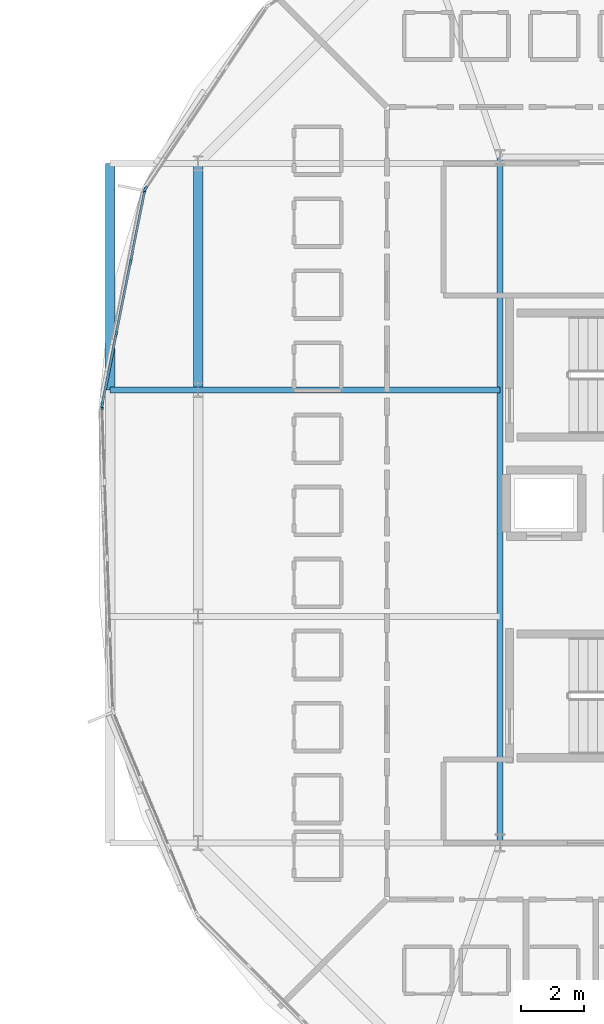
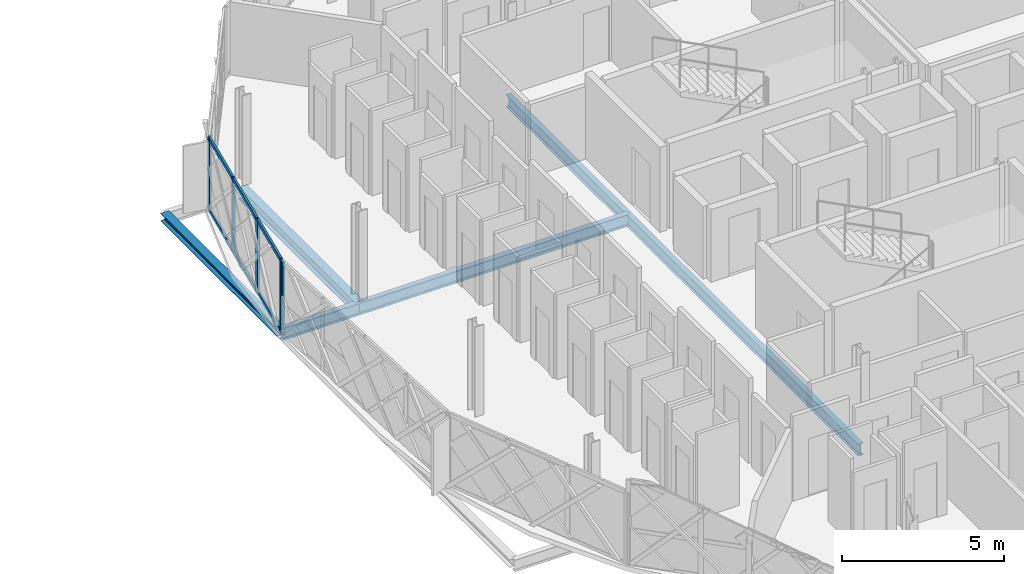
# One storey, part 10 of 40: 12 members, 5 beams, 3 elements without a shape of their own.
"""IFC4 building model written with IfcOpenShell, lengths in metres."""

from ifc_helpers import new_model, si_unit, direction, frame, origin, origin_2d, place, context, subcontext, project, spatial, rectangle, i_section, extrude, material, layer, layer_set, material_profile, profile_set, type_object, element, aggregate, save


model = new_model("IFC4")

# Units and contexts
model_context = context("Model", 3, precision=1e-05, world=origin(), true_north=direction((0.0, 1.0)))
body_context = subcontext(model_context, "Body", "Model", "MODEL_VIEW")
ifc_project = project(units=[si_unit("LENGTHUNIT", "METRE"), si_unit("AREAUNIT", "SQUARE_METRE"), si_unit("VOLUMEUNIT", "CUBIC_METRE"), si_unit("PLANEANGLEUNIT", "RADIAN"), si_unit("MASSUNIT", "GRAM", prefix="KILO")], contexts=[model_context])

# Site, building, storey
site_placement = place(None, origin())
site = spatial("IfcSite", under=ifc_project, at=site_placement, CompositionType="ELEMENT")
building_placement = place(site_placement, origin())
building = spatial("IfcBuilding", under=site, at=building_placement, Name="Zevrakil Square Congress Hotel", CompositionType="ELEMENT")
storey_placement = place(building_placement, frame((0.0, 0.0, 18.10009765625)))
storey = spatial("IfcBuildingStorey", under=building, at=storey_placement, Name="L05", CompositionType="ELEMENT", Elevation=18.10009765625)

# Beams
ifc_material_1 = material(Name="Steel S355", Category="steel")
ifc_material_profile_1 = material_profile(ifc_material_1, i_section(OverallWidth=0.300048828125, OverallDepth=0.43994140625, WebThickness=0.011474609375, FlangeThickness=0.02099609375, FilletRadius=0.027099609375, at=origin_2d()), Name="HEA 450")
ifc_profile_set_1 = profile_set([ifc_material_profile_1], Name="Steel S355")
beam_type_1 = type_object("IfcBeamType", Name="BM-HEA450", PredefinedType="BEAM", material=ifc_profile_set_1)
beam_1_placement = place(storey_placement, frame((127.199951171875, 38.39990234375, -0.405029296875), z_axis=(0.0, -1.0, 0.0), x_axis=(1.0, 0.0, 0.0)))
element("IfcBeam", 1, at=beam_1_placement, inside=storey, type_object=beam_type_1, Name="L05 drum ring girder DRB-13", PredefinedType="BEAM", context=body_context, shape_type="SweptSolid", body=[
    extrude(i_section(OverallWidth=0.300048828125, OverallDepth=0.43994140625, WebThickness=0.011474609375, FlangeThickness=0.02099609375, FilletRadius=0.027099609375, at=origin_2d()), origin(), (0.0, 0.0, 1.0), 7.199951171875),
])
ifc_material_2 = material(Name="Steel S355", Category="steel")
ifc_material_profile_2 = material_profile(ifc_material_2, i_section(OverallWidth=0.18994140625, OverallDepth=0.449951171875, WebThickness=0.009521484375, FlangeThickness=0.0146484375, FilletRadius=0.02099609375, at=origin_2d()), Name="IPE 450")
ifc_profile_set_2 = profile_set([ifc_material_profile_2], Name="Steel S355")
beam_type_2 = type_object("IfcBeamType", Name="BM-IPE450", PredefinedType="BEAM", material=ifc_profile_set_2)
beam_2_placement = place(storey_placement, frame((136.800048828125, 38.60009765625, -0.41015625), z_axis=(0.0, -1.0, 0.0), x_axis=(1.0, 0.0, 0.0)))
element("IfcBeam", 2, at=beam_2_placement, inside=storey, type_object=beam_type_2, Name="L05 drum core perimeter tie beam DCB-04", PredefinedType="BEAM", context=body_context, shape_type="SweptSolid", body=[
    extrude(i_section(OverallWidth=0.18994140625, OverallDepth=0.449951171875, WebThickness=0.009521484375, FlangeThickness=0.0146484375, FilletRadius=0.02099609375, at=origin_2d()), origin(), (0.0, 0.0, 1.0), 21.800048828125),
])
beam_3_placement = place(storey_placement, frame((136.800048828125, 31.199951171875, -0.41015625), z_axis=(-1.0, 0.0, 0.0), x_axis=(0.0, -1.0, 0.0)))
element("IfcBeam", 3, at=beam_3_placement, inside=storey, type_object=beam_type_2, Name="L05 drum radial floor beam DRI-14", PredefinedType="BEAM", context=body_context, shape_type="SweptSolid", body=[
    extrude(i_section(OverallWidth=0.18994140625, OverallDepth=0.449951171875, WebThickness=0.009521484375, FlangeThickness=0.0146484375, FilletRadius=0.02099609375, at=origin_2d()), origin(), (0.0, 0.0, 1.0), 9.60009765625),
])
beam_4_placement = place(storey_placement, frame((127.199951171875, 31.199951171875, -0.41015625), z_axis=(-1.0, 0.0, 0.0), x_axis=(0.0, -1.0, 0.0)))
element("IfcBeam", 4, at=beam_4_placement, inside=storey, type_object=beam_type_2, Name="L05 drum radial edge cantilever beam DRO-14", PredefinedType="BEAM", context=body_context, shape_type="SweptSolid", body=[
    extrude(i_section(OverallWidth=0.18994140625, OverallDepth=0.449951171875, WebThickness=0.009521484375, FlangeThickness=0.0146484375, FilletRadius=0.02099609375, at=origin_2d()), origin(), (0.0, 0.0, 1.0), 2.79248046875),
])

# Curtain wall, members
ifc_material_3 = material(Name="Aluminium Anodised Bronze", Category="aluminium")
ifc_layer_1 = layer(ifc_material_3, 0.179931640625)
ifc_layer_set_1 = layer_set([ifc_layer_1], Name="Aluminium Anodised Bronze")
curtain_wall_type_1 = type_object("IfcCurtainWallType", Name="CW-L05-720", PredefinedType="USERDEFINED", material=ifc_layer_set_1)
curtain_wall_1_placement = place(storey_placement, origin())
curtain_wall_1 = element("IfcCurtainWall", 5, at=curtain_wall_1_placement, inside=storey, type_object=curtain_wall_type_1, Name="L05 diamond curtain wall CW-L05-0195", ObjectType="GLAZED CURTAIN WALL", PredefinedType="USERDEFINED")
ifc_material_4 = material(Name="Aluminium Anodised Bronze", Category="aluminium")
ifc_material_profile_3 = material_profile(ifc_material_4, rectangle(XDim=0.074951171875, YDim=0.14990234375, at=origin_2d()), Name="ALU 75x150")
ifc_profile_set_3 = profile_set([ifc_material_profile_3], Name="Aluminium Anodised Bronze")
member_type_1 = type_object("IfcMemberType", Name="CWM-ALU75x150", PredefinedType="USERDEFINED", material=ifc_profile_set_3)
member_1_placement = place(storey_placement, frame((125.50244140625, 37.509765625, 0.02978515625), z_axis=(-0.195070495322, -0.98078922397, 0.0), x_axis=(0.98078922397, -0.195070495322, 0.0)))
member_1 = element("IfcMember", 6, at=member_1_placement, type_object=member_type_1, Name="CW-58 transom 1.1", ObjectType="TRANSOM", PredefinedType="USERDEFINED", context=body_context, shape_type="SweptSolid", body=[
    extrude(rectangle(XDim=0.074951171875, YDim=0.14990234375, at=origin_2d()), origin(), (0.0, 0.0, 1.0), 2.245361328125),
])
member_2_placement = place(storey_placement, frame((125.50244140625, 37.509765625, 2.71484375), z_axis=(-0.195070495322, -0.98078922397, 0.0), x_axis=(0.98078922397, -0.195070495322, 0.0)))
member_2 = element("IfcMember", 7, at=member_2_placement, type_object=member_type_1, Name="CW-58 transom 1.2", ObjectType="TRANSOM", PredefinedType="USERDEFINED", context=body_context, shape_type="SweptSolid", body=[
    extrude(rectangle(XDim=0.074951171875, YDim=0.14990234375, at=origin_2d()), origin(), (0.0, 0.0, 1.0), 2.245361328125),
])
member_3_placement = place(storey_placement, frame((125.052734375, 35.248779296875, 0.02978515625), z_axis=(-0.195084227953, -0.980786492568, 0.0), x_axis=(0.980786492568, -0.195084227953, 0.0)))
member_3 = element("IfcMember", 8, at=member_3_placement, type_object=member_type_1, Name="CW-58 transom 2.1", ObjectType="TRANSOM", PredefinedType="USERDEFINED", context=body_context, shape_type="SweptSolid", body=[
    extrude(rectangle(XDim=0.074951171875, YDim=0.14990234375, at=origin_2d()), origin(), (0.0, 0.0, 1.0), 2.275146484375),
])
member_4_placement = place(storey_placement, frame((125.052734375, 35.248779296875, 2.71484375), z_axis=(-0.195084227953, -0.980786492568, 0.0), x_axis=(0.980786492568, -0.195084227953, 0.0)))
member_4 = element("IfcMember", 9, at=member_4_placement, type_object=member_type_1, Name="CW-58 transom 2.2", ObjectType="TRANSOM", PredefinedType="USERDEFINED", context=body_context, shape_type="SweptSolid", body=[
    extrude(rectangle(XDim=0.074951171875, YDim=0.14990234375, at=origin_2d()), origin(), (0.0, 0.0, 1.0), 2.275146484375),
])
member_5_placement = place(storey_placement, frame((124.59716796875, 32.95849609375, 0.02978515625), z_axis=(-0.195070495322, -0.98078922397, 0.0), x_axis=(0.98078922397, -0.195070495322, 0.0)))
member_5 = element("IfcMember", 10, at=member_5_placement, type_object=member_type_1, Name="CW-58 transom 3.1", ObjectType="TRANSOM", PredefinedType="USERDEFINED", context=body_context, shape_type="SweptSolid", body=[
    extrude(rectangle(XDim=0.074951171875, YDim=0.14990234375, at=origin_2d()), origin(), (0.0, 0.0, 1.0), 2.245361328125),
])
member_6_placement = place(storey_placement, frame((124.59716796875, 32.95849609375, 2.71484375), z_axis=(-0.195070495322, -0.98078922397, 0.0), x_axis=(0.98078922397, -0.195070495322, 0.0)))
member_6 = element("IfcMember", 11, at=member_6_placement, type_object=member_type_1, Name="CW-58 transom 3.2", ObjectType="TRANSOM", PredefinedType="USERDEFINED", context=body_context, shape_type="SweptSolid", body=[
    extrude(rectangle(XDim=0.074951171875, YDim=0.14990234375, at=origin_2d()), origin(), (0.0, 0.0, 1.0), 2.245361328125),
])

# Curtain wall, member
curtain_wall_2_placement = place(storey_placement, origin())
curtain_wall_2 = element("IfcCurtainWall", 12, at=curtain_wall_2_placement, inside=storey, type_object=curtain_wall_type_1, Name="L05 diamond curtain wall CW-L05-0194", ObjectType="GLAZED CURTAIN WALL", PredefinedType="USERDEFINED")
ifc_material_5 = material(Name="Aluminium Anodised Bronze", Category="aluminium")
ifc_material_profile_4 = material_profile(ifc_material_5, rectangle(XDim=0.074951171875, YDim=0.179931640625, at=origin_2d()), Name="ALU 75x180")
ifc_profile_set_4 = profile_set([ifc_material_profile_4], Name="Aluminium Anodised Bronze")
member_type_2 = type_object("IfcMemberType", Name="CWM-ALU75x180", PredefinedType="MULLION", material=ifc_profile_set_4)
member_7_placement = place(storey_placement, frame((125.53076171875, 37.593505859375, 0.0), z_axis=(0.0, 0.0, 1.0), x_axis=(0.831465693332, -0.555576098128, 0.0)))
member_7 = element("IfcMember", 13, at=member_7_placement, type_object=member_type_2, Name="CW-58 mullion 4", PredefinedType="MULLION", context=body_context, shape_type="SweptSolid", body=[
    extrude(rectangle(XDim=0.074951171875, YDim=0.179931640625, at=origin_2d()), origin(), (0.0, 0.0, 1.0), 2.744873046875),
])
aggregate(curtain_wall_2, [member_7])

# Member
member_8_placement = place(storey_placement, frame((125.50830078125, 37.5390625, 0.0), z_axis=(0.0, 0.0, 1.0), x_axis=(0.980786557708, -0.195083900459, 0.0)))
member_8 = element("IfcMember", 14, at=member_8_placement, type_object=member_type_2, Name="CW-58 mullion 1", PredefinedType="MULLION", context=body_context, shape_type="SweptSolid", body=[
    extrude(rectangle(XDim=0.074951171875, YDim=0.179931640625, at=origin_2d()), origin(), (0.0, 0.0, 1.0), 2.744873046875),
])

member_9_placement = place(storey_placement, frame((125.05859375, 35.2783203125, 0.0), z_axis=(0.0, 0.0, 1.0), x_axis=(0.980786557708, -0.195083900459, 0.0)))
member_9 = element("IfcMember", 15, at=member_9_placement, type_object=member_type_2, Name="CW-58 mullion 2", PredefinedType="MULLION", context=body_context, shape_type="SweptSolid", body=[
    extrude(rectangle(XDim=0.074951171875, YDim=0.179931640625, at=origin_2d()), origin(), (0.0, 0.0, 1.0), 2.744873046875),
])

member_10_placement = place(storey_placement, frame((124.60302734375, 32.98779296875, 0.0), z_axis=(0.0, 0.0, 1.0), x_axis=(0.980786557708, -0.195083900459, 0.0)))
member_10 = element("IfcMember", 16, at=member_10_placement, type_object=member_type_2, Name="CW-58 mullion 3", PredefinedType="MULLION", context=body_context, shape_type="SweptSolid", body=[
    extrude(rectangle(XDim=0.074951171875, YDim=0.179931640625, at=origin_2d()), origin(), (0.0, 0.0, 1.0), 2.744873046875),
])

member_11_placement = place(storey_placement, frame((124.1533203125, 30.726806640625, 0.0), z_axis=(0.0, 0.0, 1.0), x_axis=(0.980786557708, -0.195083900459, 0.0)))
member_11 = element("IfcMember", 17, at=member_11_placement, type_object=member_type_2, Name="CW-58 mullion 4", PredefinedType="MULLION", context=body_context, shape_type="SweptSolid", body=[
    extrude(rectangle(XDim=0.074951171875, YDim=0.179931640625, at=origin_2d()), origin(), (0.0, 0.0, 1.0), 2.744873046875),
])

aggregate(curtain_wall_1, [member_8, member_9, member_10, member_11, member_1, member_2, member_3, member_4, member_5, member_6])

# Curtain wall, member
ifc_material_6 = material(Name="Aluminium Anodised Bronze", Category="aluminium")
ifc_layer_2 = layer(ifc_material_6, 0.179931640625)
ifc_layer_set_2 = layer_set([ifc_layer_2], Name="Aluminium Anodised Bronze")
curtain_wall_type_2 = type_object("IfcCurtainWallType", Name="CW-L05-900", PredefinedType="USERDEFINED", material=ifc_layer_set_2)
curtain_wall_3_placement = place(storey_placement, origin())
curtain_wall_3 = element("IfcCurtainWall", 18, at=curtain_wall_3_placement, inside=storey, type_object=curtain_wall_type_2, Name="L05 diamond curtain wall CW-L05-0196", ObjectType="GLAZED CURTAIN WALL", PredefinedType="USERDEFINED")
member_12_placement = place(storey_placement, frame((124.148681640625, 30.66748046875, 0.0), z_axis=(0.0, 0.0, 1.0), x_axis=(0.999367806889, 0.035552588564, 0.0)))
member_12 = element("IfcMember", 19, at=member_12_placement, type_object=member_type_2, Name="CW-60 mullion 1", PredefinedType="MULLION", context=body_context, shape_type="SweptSolid", body=[
    extrude(rectangle(XDim=0.074951171875, YDim=0.179931640625, at=origin_2d()), origin(), (0.0, 0.0, 1.0), 2.744873046875),
])
aggregate(curtain_wall_3, [member_12])

# Beam
ifc_material_7 = material(Name="Steel S355", Category="steel")
ifc_material_profile_5 = material_profile(ifc_material_7, i_section(OverallWidth=0.300048828125, OverallDepth=0.300048828125, WebThickness=0.010986328125, FlangeThickness=0.01904296875, FilletRadius=0.027099609375, at=origin_2d()), Name="HEB 300")
ifc_profile_set_5 = profile_set([ifc_material_profile_5], Name="Steel S355")
beam_type_3 = type_object("IfcBeamType", Name="SPD-RHS250", PredefinedType="SPANDREL", material=ifc_profile_set_5)
beam_5_placement = place(storey_placement, frame((124.407470703125, 38.39990234375, -0.335205078125), z_axis=(0.0, -1.0, 0.0), x_axis=(1.0, 0.0, 0.0)))
element("IfcBeam", 20, at=beam_5_placement, inside=storey, type_object=beam_type_3, Name="L05 drum edge spandrel beam DSP-12", PredefinedType="SPANDREL", context=body_context, shape_type="SweptSolid", body=[
    extrude(i_section(OverallWidth=0.300048828125, OverallDepth=0.300048828125, WebThickness=0.010986328125, FlangeThickness=0.01904296875, FilletRadius=0.027099609375, at=origin_2d()), origin(), (0.0, 0.0, 1.0), 7.199951171875),
])

save(model, "model.ifc")
